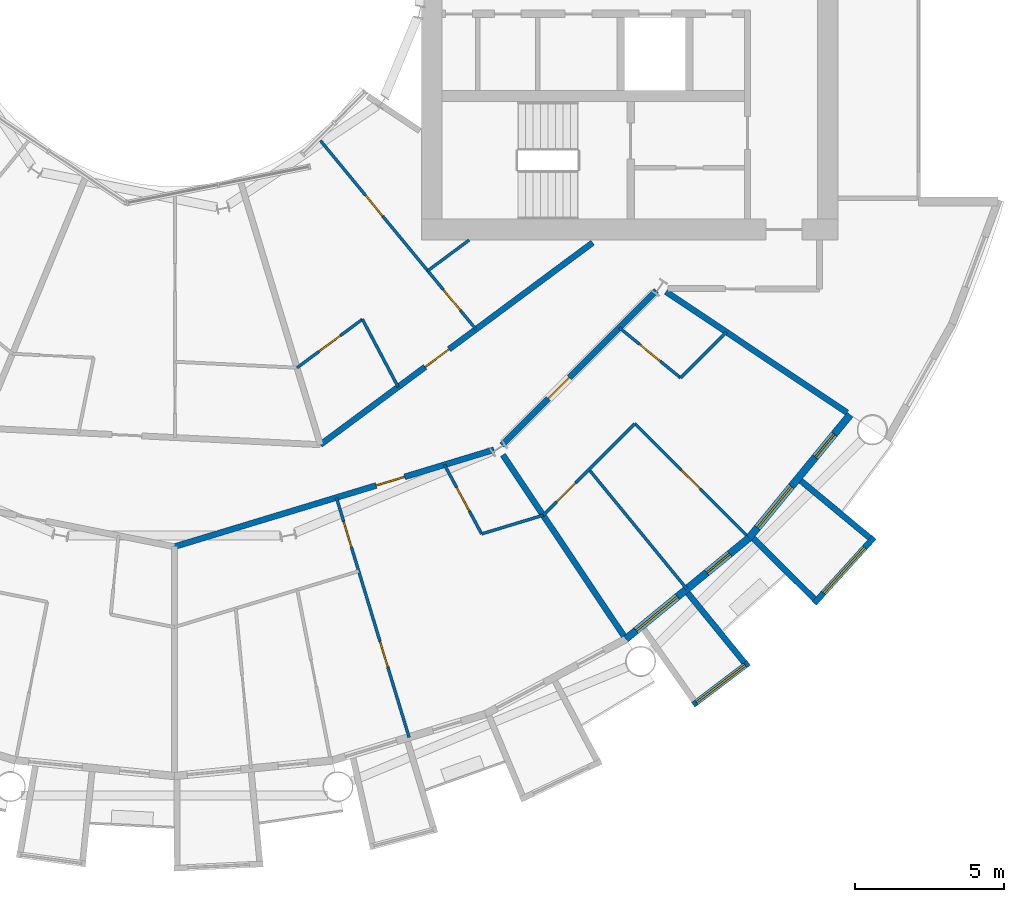
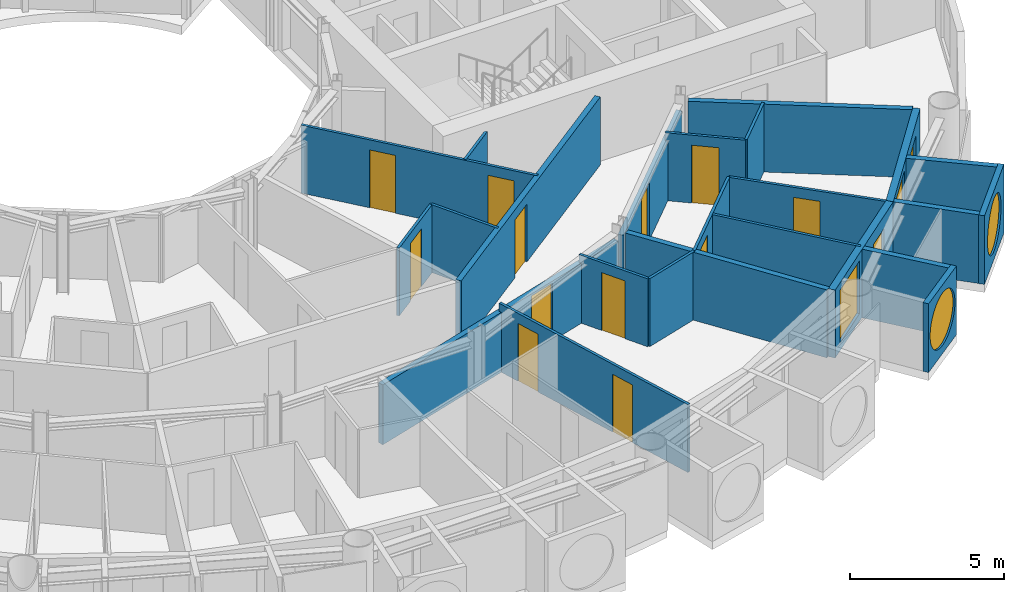
# One storey, part 16 of 26: 24 walls, 14 doors, 4 windows, 18 openings.
"""IFC4 building model written with IfcOpenShell, lengths in metres."""

from ifc_helpers import new_model, si_unit, direction, frame, frame_2d, origin, place, context, subcontext, project, spatial, rectangle, circle, extrude, material, layer, layer_set, type_object, element, fill, save


model = new_model("IFC4")

# Units and contexts
model_context = context("Model", 3, precision=1e-05, world=origin(), true_north=direction((0.0, 1.0)))
body_context = subcontext(model_context, "Body", "Model", "MODEL_VIEW")
ifc_project = project(units=[si_unit("LENGTHUNIT", "METRE"), si_unit("AREAUNIT", "SQUARE_METRE"), si_unit("VOLUMEUNIT", "CUBIC_METRE"), si_unit("PLANEANGLEUNIT", "RADIAN"), si_unit("MASSUNIT", "GRAM", prefix="KILO")], contexts=[model_context])

# Site, building, storey
site_placement = place(None, origin())
site = spatial("IfcSite", under=ifc_project, at=site_placement, CompositionType="ELEMENT")
building_placement = place(site_placement, origin())
building = spatial("IfcBuilding", under=site, at=building_placement, Name="Maasbend Ring Residences", CompositionType="ELEMENT")
storey_placement = place(building_placement, frame((0.0, 0.0, 72.75)))
storey = spatial("IfcBuildingStorey", under=building, at=storey_placement, Name="L20", CompositionType="ELEMENT", Elevation=72.75)

# Wall, opening, door
ifc_material_1 = material(Name="Concrete C30/37", Category="concrete")
ifc_layer_1 = layer(ifc_material_1, 0.199951171875)
ifc_layer_set_1 = layer_set([ifc_layer_1], Name="Concrete C30/37")
wall_type_1 = type_object("IfcWallType", Name="CORRIDOR WALL 200 CONCRETE", PredefinedType="PARTITIONING", material=ifc_layer_set_1)
wall_1_placement = place(storey_placement, frame((11.0, -16.18603515625, 0.0), z_axis=(0.0, 0.0, 1.0), x_axis=(0.707106781187, 0.707106781187, 0.0)))
wall_1 = element("IfcWall", 1, at=wall_1_placement, inside=storey, type_object=wall_type_1, Name="U-L20-w012", PredefinedType="PARTITIONING", context=body_context, shape_type="SweptSolid", body=[
    extrude(rectangle(XDim=7.334228515625, YDim=0.199951171875, at=frame_2d((3.6669921875, 0.0))), origin(), (0.0, 0.0, 1.0), 2.3798828125),
])
opening_1_placement = place(wall_1_placement, frame((2.2109375, 0.0, 0.0)))
opening_1 = element("IfcOpeningElement", 2, at=opening_1_placement, cuts=wall_1, Name="Opening D-2049", PredefinedType="OPENING", context=body_context, shape_type="SweptSolid", body=[
    extrude(rectangle(XDim=1.0, YDim=2.300048828125, at=frame_2d((0.5, 1.14990234375))), frame((0.0, 0.10986328125, 0.0), z_axis=(0.0, -1.0, 0.0), x_axis=(1.0, 0.0, 0.0)), (0.0, 0.0, 1.0), 0.219970703125),
])
ifc_material_2 = material(Name="Timber, fire-rated, painted", Category="wood")
door_type_1 = type_object("IfcDoorType", Name="FLAT ENTRANCE DOOR 1000 X 2300 FIRE-RATED", OperationType="NOTDEFINED", PredefinedType="DOOR", material=ifc_material_2)
door_1_placement = place(opening_1_placement, origin())
door_1 = element("IfcDoor", 3, at=door_1_placement, inside=storey, type_object=door_type_1, Name="D-2049", OperationType="SINGLE_SWING_LEFT", OverallHeight=2.300048828125, OverallWidth=1.0, PredefinedType="DOOR", context=body_context, shape_type="SweptSolid", body=[
    extrude(rectangle(XDim=1.0, YDim=2.300048828125, at=frame_2d((0.5, 1.14990234375))), frame((0.0, 0.02490234375, 0.0), z_axis=(0.0, -1.0, 0.0), x_axis=(1.0, 0.0, 0.0)), (0.0, 0.0, 1.0), 0.050048828125),
])
fill(opening_1, door_1)

wall_2_placement = place(storey_placement, frame((0.0, -19.60009765625, 0.0), z_axis=(0.0, 0.0, 1.0), x_axis=(0.956932298225, 0.290311172044, 0.0)))
wall_2 = element("IfcWall", 4, at=wall_2_placement, inside=storey, type_object=wall_type_1, Name="U-L20-w014", PredefinedType="PARTITIONING", context=body_context, shape_type="SweptSolid", body=[
    extrude(rectangle(XDim=11.21923828125, YDim=0.199951171875, at=frame_2d((5.609619140625, 0.0))), origin(), (0.0, 0.0, 1.0), 2.3798828125),
])
opening_2_placement = place(wall_2_placement, frame((7.0859375, 0.0, 0.0)))
opening_2 = element("IfcOpeningElement", 5, at=opening_2_placement, cuts=wall_2, Name="Opening D-2043", PredefinedType="OPENING", context=body_context, shape_type="SweptSolid", body=[
    extrude(rectangle(XDim=1.0, YDim=2.300048828125, at=frame_2d((0.5, 1.14990234375))), frame((0.0, 0.10986328125, 0.0), z_axis=(0.0, -1.0, 0.0), x_axis=(1.0, 0.0, 0.0)), (0.0, 0.0, 1.0), 0.219970703125),
])
door_2_placement = place(opening_2_placement, origin())
door_2 = element("IfcDoor", 6, at=door_2_placement, inside=storey, type_object=door_type_1, Name="D-2043", OperationType="SINGLE_SWING_RIGHT", OverallHeight=2.300048828125, OverallWidth=1.0, PredefinedType="DOOR", context=body_context, shape_type="SweptSolid", body=[
    extrude(rectangle(XDim=1.0, YDim=2.300048828125, at=frame_2d((0.5, 1.14990234375))), frame((0.0, 0.02490234375, 0.0), z_axis=(0.0, -1.0, 0.0), x_axis=(1.0, 0.0, 0.0)), (0.0, 0.0, 1.0), 0.050048828125),
])
fill(opening_2, door_2)

wall_3_placement = place(storey_placement, frame((4.906005859375, -16.172119140625, 0.0), z_axis=(0.0, 0.0, 1.0), x_axis=(0.803204584823, 0.59570327758, 0.0)))
wall_3 = element("IfcWall", 7, at=wall_3_placement, inside=storey, type_object=wall_type_1, Name="U-L20-w017", PredefinedType="PARTITIONING", context=body_context, shape_type="SweptSolid", body=[
    extrude(rectangle(XDim=11.386962890625, YDim=0.199951171875, at=frame_2d((5.693359375, 0.0))), origin(), (0.0, 0.0, 1.0), 2.699951171875),
])
opening_3_placement = place(wall_3_placement, frame((4.3798828125, 0.0, 0.0)))
opening_3 = element("IfcOpeningElement", 8, at=opening_3_placement, cuts=wall_3, Name="Opening D-2061", PredefinedType="OPENING", context=body_context, shape_type="SweptSolid", body=[
    extrude(rectangle(XDim=1.0, YDim=2.300048828125, at=frame_2d((0.5, 1.14990234375))), frame((0.0, 0.10986328125, 0.0), z_axis=(0.0, -1.0, 0.0), x_axis=(1.0, 0.0, 0.0)), (0.0, 0.0, 1.0), 0.219970703125),
])
door_3_placement = place(opening_3_placement, origin())
door_3 = element("IfcDoor", 9, at=door_3_placement, inside=storey, type_object=door_type_1, Name="D-2061", OperationType="SINGLE_SWING_LEFT", OverallHeight=2.300048828125, OverallWidth=1.0, PredefinedType="DOOR", context=body_context, shape_type="SweptSolid", body=[
    extrude(rectangle(XDim=1.0, YDim=2.300048828125, at=frame_2d((0.5, 1.14990234375))), frame((0.0, 0.02490234375, 0.0), z_axis=(0.0, -1.0, 0.0), x_axis=(1.0, 0.0, 0.0)), (0.0, 0.0, 1.0), 0.050048828125),
])
fill(opening_3, door_3)

# Wall, opening, window
ifc_material_3 = material(Name="Pale anodised aluminium panel", Category="aluminium")
ifc_layer_2 = layer(ifc_material_3, 0.199951171875)
ifc_layer_set_2 = layer_set([ifc_layer_2], Name="EW-BOX")
wall_type_2 = type_object("IfcWallType", Name="EW-BOX", PredefinedType="SOLIDWALL", material=ifc_layer_set_2)
wall_4_placement = place(storey_placement, frame((17.427001953125, -24.908935546875, -0.030029296875), z_axis=(0.0, 0.0, 1.0), x_axis=(0.796842165306, 0.60418752353, 0.0)))
wall_4 = element("IfcWall", 10, at=wall_4_placement, inside=storey, type_object=wall_type_2, Name="Box front S17", PredefinedType="SOLIDWALL", context=body_context, shape_type="SweptSolid", body=[
    extrude(rectangle(XDim=2.3369140625, YDim=0.199951171875, at=frame_2d((1.16845703125, 0.0))), origin(), (0.0, 0.0, 1.0), 2.72998046875),
])
opening_4_placement = place(wall_4_placement, frame((0.128173828125, 0.0, 0.330078125)))
opening_4 = element("IfcOpeningElement", 11, at=opening_4_placement, cuts=wall_4, Name="Opening W-RD", PredefinedType="OPENING", context=body_context, shape_type="SweptSolid", body=[
    extrude(circle(Radius=1.0400390625, at=frame_2d((1.0400390625, 1.0400390625))), frame((0.0, 0.10986328125, 0.0), z_axis=(0.0, -1.0, 0.0), x_axis=(1.0, 0.0, 0.0)), (0.0, 0.0, 1.0), 0.219970703125),
])
ifc_material_4 = material(Name="Aluminium and clear glass", Category="aluminium")
window_type_1 = type_object("IfcWindowType", Name="W-RD", PartitioningType="SINGLE_PANEL", PredefinedType="WINDOW", material=ifc_material_4)
window_1_placement = place(opening_4_placement, origin())
window_1 = element("IfcWindow", 12, at=window_1_placement, inside=storey, type_object=window_type_1, Name="Round window S17", OverallHeight=2.080078125, OverallWidth=2.080078125, PartitioningType="SINGLE_PANEL", PredefinedType="WINDOW", context=body_context, shape_type="SweptSolid", body=[
    extrude(circle(Radius=1.0400390625, at=frame_2d((1.0400390625, 1.0400390625))), frame((0.0, 0.030029296875, 0.0), z_axis=(0.0, -1.0, 0.0), x_axis=(1.0, 0.0, 0.0)), (0.0, 0.0, 1.0), 0.06005859375),
])
fill(opening_4, window_1)

# Wall
wall_5_placement = place(storey_placement, frame((17.24609375, -21.155029296875, -0.030029296875), z_axis=(0.0, 0.0, 1.0), x_axis=(0.631741648902, -0.775179004516, 0.0)))
element("IfcWall", 13, at=wall_5_placement, inside=storey, type_object=wall_type_2, Name="Box side wall S17 right", PredefinedType="SOLIDWALL", context=body_context, shape_type="SweptSolid", body=[
    extrude(rectangle(XDim=3.005859375, YDim=0.199951171875, at=frame_2d((1.5029296875, 0.0))), origin(), (0.0, 0.0, 1.0), 2.72998046875),
])

# Wall, opening, window
wall_6_placement = place(storey_placement, frame((21.492919921875, -21.5, -0.030029296875), z_axis=(0.0, 0.0, 1.0), x_axis=(0.671506829416, 0.740998365753, 0.0)))
wall_6 = element("IfcWall", 14, at=wall_6_placement, inside=storey, type_object=wall_type_2, Name="Box front S19", PredefinedType="SOLIDWALL", context=body_context, shape_type="SweptSolid", body=[
    extrude(rectangle(XDim=2.9931640625, YDim=0.199951171875, at=frame_2d((1.49658203125, 0.0))), origin(), (0.0, 0.0, 1.0), 2.72998046875),
])
opening_5_placement = place(wall_6_placement, frame((0.45654296875, 0.0, 0.330078125)))
opening_5 = element("IfcOpeningElement", 15, at=opening_5_placement, cuts=wall_6, Name="Opening W-RD", PredefinedType="OPENING", context=body_context, shape_type="SweptSolid", body=[
    extrude(circle(Radius=1.0400390625, at=frame_2d((1.0400390625, 1.0400390625))), frame((0.0, 0.10986328125, 0.0), z_axis=(0.0, -1.0, 0.0), x_axis=(1.0, 0.0, 0.0)), (0.0, 0.0, 1.0), 0.219970703125),
])
window_2_placement = place(opening_5_placement, origin())
window_2 = element("IfcWindow", 16, at=window_2_placement, inside=storey, type_object=window_type_1, Name="Round window S19", OverallHeight=2.080078125, OverallWidth=2.080078125, PartitioningType="SINGLE_PANEL", PredefinedType="WINDOW", context=body_context, shape_type="SweptSolid", body=[
    extrude(circle(Radius=1.0400390625, at=frame_2d((1.0400390625, 1.0400390625))), frame((0.0, 0.030029296875, 0.0), z_axis=(0.0, -1.0, 0.0), x_axis=(1.0, 0.0, 0.0)), (0.0, 0.0, 1.0), 0.06005859375),
])
fill(opening_5, window_2)

# Walls
wall_7_placement = place(storey_placement, frame((19.449951171875, -19.322998046875, -0.030029296875), z_axis=(0.0, 0.0, 1.0), x_axis=(0.709727076896, -0.704476739375, 0.0)))
element("IfcWall", 17, at=wall_7_placement, inside=storey, type_object=wall_type_2, Name="Box side wall S19 left", PredefinedType="SOLIDWALL", context=body_context, shape_type="SweptSolid", body=[
    extrude(rectangle(XDim=2.883056640625, YDim=0.199951171875, at=frame_2d((1.44140625, 0.0))), origin(), (0.0, 0.0, 1.0), 2.72998046875),
])
wall_8_placement = place(storey_placement, frame((21.041015625, -17.384033203125, -0.030029296875), z_axis=(0.0, 0.0, 1.0), x_axis=(0.770784861449, -0.63709551667, 0.0)))
element("IfcWall", 18, at=wall_8_placement, inside=storey, type_object=wall_type_2, Name="Box side wall S19 right", PredefinedType="SOLIDWALL", context=body_context, shape_type="SweptSolid", body=[
    extrude(rectangle(XDim=3.005859375, YDim=0.199951171875, at=frame_2d((1.5029296875, 0.0))), origin(), (0.0, 0.0, 1.0), 2.72998046875),
])

# Wall, openings, door, window
ifc_material_5 = material(Name="Aluminium clad insulated panel", Category="aluminium")
ifc_layer_3 = layer(ifc_material_5, 0.25)
ifc_layer_set_3 = layer_set([ifc_layer_3], Name="EW-GL")
wall_type_3 = type_object("IfcWallType", Name="EW-GL", PredefinedType="SOLIDWALL", material=ifc_layer_set_3)
wall_9_placement = place(storey_placement, frame((15.1669921875, -22.698974609375, 0.0), z_axis=(0.0, 0.0, 1.0), x_axis=(0.773019449054, 0.634382322723, 0.0)))
wall_9 = element("IfcWall", 19, at=wall_9_placement, inside=storey, type_object=wall_type_3, Name="External wall S09", PredefinedType="SOLIDWALL", context=body_context, shape_type="SweptSolid", body=[
    extrude(rectangle(XDim=5.351806640625, YDim=0.25, at=frame_2d((2.67578125, 0.0))), origin(), (0.0, 0.0, 1.0), 2.699951171875),
])
opening_6_placement = place(wall_9_placement, frame((0.441162109375, 0.0, 0.300048828125)))
opening_6 = element("IfcOpeningElement", 20, at=opening_6_placement, cuts=wall_9, Name="Opening W-BX", PredefinedType="OPENING", context=body_context, shape_type="SweptSolid", body=[
    extrude(rectangle(XDim=1.800048828125, YDim=2.10009765625, at=frame_2d((0.89990234375, 1.050048828125))), frame((0.0, 0.135009765625, 0.0), z_axis=(0.0, -1.0, 0.0), x_axis=(1.0, 0.0, 0.0)), (0.0, 0.0, 1.0), 0.27001953125),
])
opening_7_placement = place(wall_9_placement, frame((3.510498046875, 0.0, 0.0)))
opening_7 = element("IfcOpeningElement", 21, at=opening_7_placement, cuts=wall_9, Name="Opening D-LG", PredefinedType="OPENING", context=body_context, shape_type="SweptSolid", body=[
    extrude(rectangle(XDim=1.0, YDim=2.199951171875, at=frame_2d((0.5, 1.10009765625))), frame((0.0, 0.135009765625, 0.0), z_axis=(0.0, -1.0, 0.0), x_axis=(1.0, 0.0, 0.0)), (0.0, 0.0, 1.0), 0.27001953125),
])
ifc_material_6 = material(Name="Aluminium and clear glass", Category="aluminium")
door_type_2 = type_object("IfcDoorType", Name="D-LG", OperationType="SINGLE_SWING_LEFT", PredefinedType="DOOR", material=ifc_material_6)
door_4_placement = place(opening_7_placement, origin())
door_4 = element("IfcDoor", 22, at=door_4_placement, inside=storey, type_object=door_type_2, Name="Loggia door S18", OperationType="SINGLE_SWING_LEFT", OverallHeight=2.199951171875, OverallWidth=1.0, PredefinedType="DOOR", context=body_context, shape_type="SweptSolid", body=[
    extrude(rectangle(XDim=1.0, YDim=2.199951171875, at=frame_2d((0.5, 1.10009765625))), frame((0.0, 0.02490234375, 0.0), z_axis=(0.0, -1.0, 0.0), x_axis=(1.0, 0.0, 0.0)), (0.0, 0.0, 1.0), 0.050048828125),
])
fill(opening_7, door_4)
ifc_material_7 = material(Name="Aluminium and clear glass", Category="aluminium")
window_type_2 = type_object("IfcWindowType", Name="W-BX", PartitioningType="DOUBLE_PANEL_VERTICAL", PredefinedType="WINDOW", material=ifc_material_7)
window_3_placement = place(opening_6_placement, origin())
window_3 = element("IfcWindow", 23, at=window_3_placement, inside=storey, type_object=window_type_2, Name="Window S17 room to box", OverallHeight=2.10009765625, OverallWidth=1.800048828125, PartitioningType="SINGLE_PANEL", PredefinedType="WINDOW", context=body_context, shape_type="SweptSolid", body=[
    extrude(rectangle(XDim=1.800048828125, YDim=2.10009765625, at=frame_2d((0.89990234375, 1.050048828125))), frame((0.0, 0.030029296875, 0.0), z_axis=(0.0, -1.0, 0.0), x_axis=(1.0, 0.0, 0.0)), (0.0, 0.0, 1.0), 0.06005859375),
])
fill(opening_6, window_3)

wall_10_placement = place(storey_placement, frame((19.303955078125, -19.303955078125, 0.0), z_axis=(0.0, 0.0, 1.0), x_axis=(0.634382322723, 0.773019449054, 0.0)))
wall_10 = element("IfcWall", 24, at=wall_10_placement, inside=storey, type_object=wall_type_3, Name="External wall S10", PredefinedType="SOLIDWALL", context=body_context, shape_type="SweptSolid", body=[
    extrude(rectangle(XDim=5.351806640625, YDim=0.25, at=frame_2d((2.67578125, 0.0))), origin(), (0.0, 0.0, 1.0), 2.699951171875),
])
opening_8_placement = place(wall_10_placement, frame((0.441162109375, 0.0, 0.300048828125)))
opening_8 = element("IfcOpeningElement", 25, at=opening_8_placement, cuts=wall_10, Name="Opening W-BX", PredefinedType="OPENING", context=body_context, shape_type="SweptSolid", body=[
    extrude(rectangle(XDim=1.800048828125, YDim=2.10009765625, at=frame_2d((0.89990234375, 1.050048828125))), frame((0.0, 0.135009765625, 0.0), z_axis=(0.0, -1.0, 0.0), x_axis=(1.0, 0.0, 0.0)), (0.0, 0.0, 1.0), 0.27001953125),
])
opening_9_placement = place(wall_10_placement, frame((3.510498046875, 0.0, 0.0)))
opening_9 = element("IfcOpeningElement", 26, at=opening_9_placement, cuts=wall_10, Name="Opening D-LG", PredefinedType="OPENING", context=body_context, shape_type="SweptSolid", body=[
    extrude(rectangle(XDim=1.0, YDim=2.199951171875, at=frame_2d((0.5, 1.10009765625))), frame((0.0, 0.135009765625, 0.0), z_axis=(0.0, -1.0, 0.0), x_axis=(1.0, 0.0, 0.0)), (0.0, 0.0, 1.0), 0.27001953125),
])
door_5_placement = place(opening_9_placement, origin())
door_5 = element("IfcDoor", 27, at=door_5_placement, inside=storey, type_object=door_type_2, Name="Loggia door S20", OperationType="SINGLE_SWING_LEFT", OverallHeight=2.199951171875, OverallWidth=1.0, PredefinedType="DOOR", context=body_context, shape_type="SweptSolid", body=[
    extrude(rectangle(XDim=1.0, YDim=2.199951171875, at=frame_2d((0.5, 1.10009765625))), frame((0.0, 0.02490234375, 0.0), z_axis=(0.0, -1.0, 0.0), x_axis=(1.0, 0.0, 0.0)), (0.0, 0.0, 1.0), 0.050048828125),
])
fill(opening_9, door_5)
window_4_placement = place(opening_8_placement, origin())
window_4 = element("IfcWindow", 28, at=window_4_placement, inside=storey, type_object=window_type_2, Name="Window S19 room to box", OverallHeight=2.10009765625, OverallWidth=1.800048828125, PartitioningType="SINGLE_PANEL", PredefinedType="WINDOW", context=body_context, shape_type="SweptSolid", body=[
    extrude(rectangle(XDim=1.800048828125, YDim=2.10009765625, at=frame_2d((0.89990234375, 1.050048828125))), frame((0.0, 0.030029296875, 0.0), z_axis=(0.0, -1.0, 0.0), x_axis=(1.0, 0.0, 0.0)), (0.0, 0.0, 1.0), 0.06005859375),
])
fill(opening_8, window_4)

# Wall, opening, door
ifc_material_8 = material(Name="Gypsum board on steel studs", Category="steel")
ifc_layer_4 = layer(ifc_material_8, 0.10009765625)
ifc_layer_set_4 = layer_set([ifc_layer_4], Name="PARTITION 100 GYPSUM")
wall_type_4 = type_object("IfcWallType", Name="PARTITION 100 GYPSUM", PredefinedType="PARTITIONING", material=ifc_layer_set_4)
wall_11_placement = place(storey_placement, frame((12.385986328125, -18.544921875, 0.0), z_axis=(0.0, 0.0, 1.0), x_axis=(0.707106781187, 0.707106781187, 0.0)))
wall_11 = element("IfcWall", 29, at=wall_11_placement, inside=storey, type_object=wall_type_4, Name="U-L20-w003", PredefinedType="PARTITIONING", context=body_context, shape_type="SweptSolid", body=[
    extrude(rectangle(XDim=4.351318359375, YDim=0.10009765625, at=frame_2d((2.17578125, 0.0))), origin(), (0.0, 0.0, 1.0), 2.699951171875),
])
opening_10_placement = place(wall_11_placement, frame((0.64404296875, 0.0, 0.0)))
opening_10 = element("IfcOpeningElement", 30, at=opening_10_placement, cuts=wall_11, Name="Opening D-2052", PredefinedType="OPENING", context=body_context, shape_type="SweptSolid", body=[
    extrude(rectangle(XDim=0.89990234375, YDim=2.300048828125, at=frame_2d((0.449951171875, 1.14990234375))), frame((0.0, 0.06005859375, 0.0), z_axis=(0.0, -1.0, 0.0), x_axis=(1.0, 0.0, 0.0)), (0.0, 0.0, 1.0), 0.1201171875),
])
ifc_material_9 = material(Name="Timber, painted", Category="wood")
door_type_3 = type_object("IfcDoorType", Name="INTERNAL DOOR 900 X 2300", OperationType="NOTDEFINED", PredefinedType="DOOR", material=ifc_material_9)
door_6_placement = place(opening_10_placement, origin())
door_6 = element("IfcDoor", 31, at=door_6_placement, inside=storey, type_object=door_type_3, Name="D-2052", OperationType="SINGLE_SWING_LEFT", OverallHeight=2.300048828125, OverallWidth=0.89990234375, PredefinedType="DOOR", context=body_context, shape_type="SweptSolid", body=[
    extrude(rectangle(XDim=0.89990234375, YDim=2.300048828125, at=frame_2d((0.449951171875, 1.14990234375))), frame((0.0, 0.02490234375, 0.0), z_axis=(0.0, -1.0, 0.0), x_axis=(1.0, 0.0, 0.0)), (0.0, 0.0, 1.0), 0.050048828125),
])
fill(opening_10, door_6)

# Walls
wall_12_placement = place(storey_placement, frame((17.00390625, -13.927001953125, 0.0), z_axis=(0.0, 0.0, 1.0), x_axis=(0.707106781187, 0.707106781187, 0.0)))
element("IfcWall", 32, at=wall_12_placement, inside=storey, type_object=wall_type_4, Name="U-L20-w004", PredefinedType="PARTITIONING", context=body_context, shape_type="SweptSolid", body=[
    extrude(rectangle(XDim=2.17529296875, YDim=0.10009765625, at=frame_2d((1.087646484375, 0.0))), origin(), (0.0, 0.0, 1.0), 2.699951171875),
])
wall_13_placement = place(storey_placement, frame((10.326904296875, -19.16796875, 0.0), z_axis=(0.0, 0.0, 1.0), x_axis=(0.956877769253, 0.290490851335, 0.0)))
element("IfcWall", 33, at=wall_13_placement, inside=storey, type_object=wall_type_4, Name="U-L20-w010", PredefinedType="PARTITIONING", context=body_context, shape_type="SweptSolid", body=[
    extrude(rectangle(XDim=2.158203125, YDim=0.10009765625, at=frame_2d((1.0791015625, 0.0))), origin(), (0.0, 0.0, 1.0), 2.699951171875),
])

# Wall, opening, door
wall_14_placement = place(storey_placement, frame((4.123046875, -13.589111328125, 0.0), z_axis=(0.0, 0.0, 1.0), x_axis=(0.803128348509, 0.595806055542, 0.0)))
wall_14 = element("IfcWall", 34, at=wall_14_placement, inside=storey, type_object=wall_type_4, Name="U-L20-w022", PredefinedType="PARTITIONING", context=body_context, shape_type="SweptSolid", body=[
    extrude(rectangle(XDim=2.734375, YDim=0.10009765625, at=frame_2d((1.3671875, 0.0))), origin(), (0.0, 0.0, 1.0), 2.699951171875),
])
opening_11_placement = place(wall_14_placement, frame((0.916015625, 0.0, 0.0)))
opening_11 = element("IfcOpeningElement", 35, at=opening_11_placement, cuts=wall_14, Name="Opening D-2062", PredefinedType="OPENING", context=body_context, shape_type="SweptSolid", body=[
    extrude(rectangle(XDim=0.89990234375, YDim=2.300048828125, at=frame_2d((0.449951171875, 1.14990234375))), frame((0.0, 0.06005859375, 0.0), z_axis=(0.0, -1.0, 0.0), x_axis=(1.0, 0.0, 0.0)), (0.0, 0.0, 1.0), 0.1201171875),
])
door_7_placement = place(opening_11_placement, origin())
door_7 = element("IfcDoor", 36, at=door_7_placement, inside=storey, type_object=door_type_3, Name="D-2062", OperationType="SINGLE_SWING_LEFT", OverallHeight=2.300048828125, OverallWidth=0.89990234375, PredefinedType="DOOR", context=body_context, shape_type="SweptSolid", body=[
    extrude(rectangle(XDim=0.89990234375, YDim=2.300048828125, at=frame_2d((0.449951171875, 1.14990234375))), frame((0.0, 0.02490234375, 0.0), z_axis=(0.0, -1.0, 0.0), x_axis=(1.0, 0.0, 0.0)), (0.0, 0.0, 1.0), 0.050048828125),
])
fill(opening_11, door_7)

# Wall
wall_15_placement = place(storey_placement, frame((8.512939453125, -10.33203125, 0.0), z_axis=(0.0, 0.0, 1.0), x_axis=(0.803135014325, 0.595797070121, 0.0)))
element("IfcWall", 37, at=wall_15_placement, inside=storey, type_object=wall_type_4, Name="U-L20-w023", PredefinedType="PARTITIONING", context=body_context, shape_type="SweptSolid", body=[
    extrude(rectangle(XDim=1.732177734375, YDim=0.10009765625, at=frame_2d((0.8662109375, 0.0))), origin(), (0.0, 0.0, 1.0), 2.699951171875),
])

# Wall, openings, doors
wall_16_placement = place(storey_placement, frame((4.907958984375, -5.958984375, 0.0), z_axis=(0.0, 0.0, 1.0), x_axis=(0.636105207978, -0.771602335652, 0.0)))
wall_16 = element("IfcWall", 38, at=wall_16_placement, inside=storey, type_object=wall_type_4, Name="U-L20-w069", PredefinedType="PARTITIONING", context=body_context, shape_type="SweptSolid", body=[
    extrude(rectangle(XDim=8.212646484375, YDim=0.10009765625, at=frame_2d((4.1064453125, 0.0))), origin(), (0.0, 0.0, 1.0), 2.699951171875),
])
opening_12_placement = place(wall_16_placement, frame((6.489990234375, 0.0, 0.0)))
opening_12 = element("IfcOpeningElement", 39, at=opening_12_placement, cuts=wall_16, Name="Opening D-2063", PredefinedType="OPENING", context=body_context, shape_type="SweptSolid", body=[
    extrude(rectangle(XDim=0.89990234375, YDim=2.300048828125, at=frame_2d((0.449951171875, 1.14990234375))), frame((0.0, 0.06005859375, 0.0), z_axis=(0.0, -1.0, 0.0), x_axis=(1.0, 0.0, 0.0)), (0.0, 0.0, 1.0), 0.1201171875),
])
opening_13_placement = place(wall_16_placement, frame((2.384033203125, 0.0, 0.0)))
opening_13 = element("IfcOpeningElement", 40, at=opening_13_placement, cuts=wall_16, Name="Opening D-2064", PredefinedType="OPENING", context=body_context, shape_type="SweptSolid", body=[
    extrude(rectangle(XDim=0.89990234375, YDim=2.300048828125, at=frame_2d((0.449951171875, 1.14990234375))), frame((0.0, 0.06005859375, 0.0), z_axis=(0.0, -1.0, 0.0), x_axis=(1.0, 0.0, 0.0)), (0.0, 0.0, 1.0), 0.1201171875),
])
door_8_placement = place(opening_12_placement, origin())
door_8 = element("IfcDoor", 41, at=door_8_placement, inside=storey, type_object=door_type_3, Name="D-2063", OperationType="SINGLE_SWING_RIGHT", OverallHeight=2.300048828125, OverallWidth=0.89990234375, PredefinedType="DOOR", context=body_context, shape_type="SweptSolid", body=[
    extrude(rectangle(XDim=0.89990234375, YDim=2.300048828125, at=frame_2d((0.449951171875, 1.14990234375))), frame((0.0, 0.02490234375, 0.0), z_axis=(0.0, -1.0, 0.0), x_axis=(1.0, 0.0, 0.0)), (0.0, 0.0, 1.0), 0.050048828125),
])
fill(opening_12, door_8)
door_9_placement = place(opening_13_placement, origin())
door_9 = element("IfcDoor", 42, at=door_9_placement, inside=storey, type_object=door_type_3, Name="D-2064", OperationType="SINGLE_SWING_LEFT", OverallHeight=2.300048828125, OverallWidth=0.89990234375, PredefinedType="DOOR", context=body_context, shape_type="SweptSolid", body=[
    extrude(rectangle(XDim=0.89990234375, YDim=2.300048828125, at=frame_2d((0.449951171875, 1.14990234375))), frame((0.0, 0.02490234375, 0.0), z_axis=(0.0, -1.0, 0.0), x_axis=(1.0, 0.0, 0.0)), (0.0, 0.0, 1.0), 0.050048828125),
])
fill(opening_13, door_9)

wall_17_placement = place(storey_placement, frame((5.445068359375, -17.947998046875, 0.0), z_axis=(0.0, 0.0, 1.0), x_axis=(0.290158700753, -0.956978541231, 0.0)))
wall_17 = element("IfcWall", 43, at=wall_17_placement, inside=storey, type_object=wall_type_4, Name="U-L20-w071", PredefinedType="PARTITIONING", context=body_context, shape_type="SweptSolid", body=[
    extrude(rectangle(XDim=8.419189453125, YDim=0.10009765625, at=frame_2d((4.20947265625, 0.0))), origin(), (0.0, 0.0, 1.0), 2.699951171875),
])
opening_14_placement = place(wall_17_placement, frame((0.842041015625, 0.0, 0.0)))
opening_14 = element("IfcOpeningElement", 44, at=opening_14_placement, cuts=wall_17, Name="Opening D-2045", PredefinedType="OPENING", context=body_context, shape_type="SweptSolid", body=[
    extrude(rectangle(XDim=0.89990234375, YDim=2.300048828125, at=frame_2d((0.449951171875, 1.14990234375))), frame((0.0, 0.06005859375, 0.0), z_axis=(0.0, -1.0, 0.0), x_axis=(1.0, 0.0, 0.0)), (0.0, 0.0, 1.0), 0.1201171875),
])
opening_15_placement = place(wall_17_placement, frame((5.052001953125, 0.0, 0.0)))
opening_15 = element("IfcOpeningElement", 45, at=opening_15_placement, cuts=wall_17, Name="Opening D-2046", PredefinedType="OPENING", context=body_context, shape_type="SweptSolid", body=[
    extrude(rectangle(XDim=0.89990234375, YDim=2.300048828125, at=frame_2d((0.449951171875, 1.14990234375))), frame((0.0, 0.06005859375, 0.0), z_axis=(0.0, -1.0, 0.0), x_axis=(1.0, 0.0, 0.0)), (0.0, 0.0, 1.0), 0.1201171875),
])
door_10_placement = place(opening_14_placement, origin())
door_10 = element("IfcDoor", 46, at=door_10_placement, inside=storey, type_object=door_type_3, Name="D-2045", OperationType="SINGLE_SWING_LEFT", OverallHeight=2.300048828125, OverallWidth=0.89990234375, PredefinedType="DOOR", context=body_context, shape_type="SweptSolid", body=[
    extrude(rectangle(XDim=0.89990234375, YDim=2.300048828125, at=frame_2d((0.449951171875, 1.14990234375))), frame((0.0, 0.02490234375, 0.0), z_axis=(0.0, -1.0, 0.0), x_axis=(1.0, 0.0, 0.0)), (0.0, 0.0, 1.0), 0.050048828125),
])
fill(opening_14, door_10)
door_11_placement = place(opening_15_placement, origin())
door_11 = element("IfcDoor", 47, at=door_11_placement, inside=storey, type_object=door_type_3, Name="D-2046", OperationType="SINGLE_SWING_RIGHT", OverallHeight=2.300048828125, OverallWidth=0.89990234375, PredefinedType="DOOR", context=body_context, shape_type="SweptSolid", body=[
    extrude(rectangle(XDim=0.89990234375, YDim=2.300048828125, at=frame_2d((0.449951171875, 1.14990234375))), frame((0.0, 0.02490234375, 0.0), z_axis=(0.0, -1.0, 0.0), x_axis=(1.0, 0.0, 0.0)), (0.0, 0.0, 1.0), 0.050048828125),
])
fill(opening_15, door_11)

# Wall
wall_18_placement = place(storey_placement, frame((6.318115234375, -11.9599609375, 0.0), z_axis=(0.0, 0.0, 1.0), x_axis=(0.467001992543, -0.884256263173, 0.0)))
element("IfcWall", 48, at=wall_18_placement, inside=storey, type_object=wall_type_4, Name="U-L20-w073", PredefinedType="PARTITIONING", context=body_context, shape_type="SweptSolid", body=[
    extrude(rectangle(XDim=2.571533203125, YDim=0.10009765625, at=frame_2d((1.28564453125, 0.0))), origin(), (0.0, 0.0, 1.0), 2.699951171875),
])

# Wall, opening, door
wall_19_placement = place(storey_placement, frame((9.073974609375, -16.846923828125, 0.0), z_axis=(0.0, 0.0, 1.0), x_axis=(0.474160570331, -0.880438387136, 0.0)))
wall_19 = element("IfcWall", 49, at=wall_19_placement, inside=storey, type_object=wall_type_4, Name="U-L20-w075", PredefinedType="PARTITIONING", context=body_context, shape_type="SweptSolid", body=[
    extrude(rectangle(XDim=2.63623046875, YDim=0.10009765625, at=frame_2d((1.318115234375, 0.0))), origin(), (0.0, 0.0, 1.0), 2.699951171875),
])
opening_16_placement = place(wall_19_placement, frame((0.867919921875, 0.0, 0.0)))
opening_16 = element("IfcOpeningElement", 50, at=opening_16_placement, cuts=wall_19, Name="Opening D-2044", PredefinedType="OPENING", context=body_context, shape_type="SweptSolid", body=[
    extrude(rectangle(XDim=0.89990234375, YDim=2.300048828125, at=frame_2d((0.449951171875, 1.14990234375))), frame((0.0, 0.06005859375, 0.0), z_axis=(0.0, -1.0, 0.0), x_axis=(1.0, 0.0, 0.0)), (0.0, 0.0, 1.0), 0.1201171875),
])
door_12_placement = place(opening_16_placement, origin())
door_12 = element("IfcDoor", 51, at=door_12_placement, inside=storey, type_object=door_type_3, Name="D-2044", OperationType="SINGLE_SWING_RIGHT", OverallHeight=2.300048828125, OverallWidth=0.89990234375, PredefinedType="DOOR", context=body_context, shape_type="SweptSolid", body=[
    extrude(rectangle(XDim=0.89990234375, YDim=2.300048828125, at=frame_2d((0.449951171875, 1.14990234375))), frame((0.0, 0.02490234375, 0.0), z_axis=(0.0, -1.0, 0.0), x_axis=(1.0, 0.0, 0.0)), (0.0, 0.0, 1.0), 0.050048828125),
])
fill(opening_16, door_12)

# Wall
wall_20_placement = place(storey_placement, frame((13.927001953125, -17.00390625, 0.0), z_axis=(0.0, 0.0, 1.0), x_axis=(0.633774976367, -0.773517471898, 0.0)))
element("IfcWall", 52, at=wall_20_placement, inside=storey, type_object=wall_type_4, Name="U-L20-w079", PredefinedType="PARTITIONING", context=body_context, shape_type="SweptSolid", body=[
    extrude(rectangle(XDim=5.19580078125, YDim=0.10009765625, at=frame_2d((2.597900390625, 0.0))), origin(), (0.0, 0.0, 1.0), 2.699951171875),
])

# Wall, opening, door
wall_21_placement = place(storey_placement, frame((14.945068359375, -12.240966796875, 0.0), z_axis=(0.0, 0.0, 1.0), x_axis=(0.77367517848, -0.633582447834, 0.0)))
wall_21 = element("IfcWall", 53, at=wall_21_placement, inside=storey, type_object=wall_type_4, Name="U-L20-w080", PredefinedType="PARTITIONING", context=body_context, shape_type="SweptSolid", body=[
    extrude(rectangle(XDim=2.6611328125, YDim=0.10009765625, at=frame_2d((1.33056640625, 0.0))), origin(), (0.0, 0.0, 1.0), 2.699951171875),
])
opening_17_placement = place(wall_21_placement, frame((0.881103515625, 0.0, 0.0)))
opening_17 = element("IfcOpeningElement", 54, at=opening_17_placement, cuts=wall_21, Name="Opening D-2050", PredefinedType="OPENING", context=body_context, shape_type="SweptSolid", body=[
    extrude(rectangle(XDim=0.89990234375, YDim=2.300048828125, at=frame_2d((0.449951171875, 1.14990234375))), frame((0.0, 0.06005859375, 0.0), z_axis=(0.0, -1.0, 0.0), x_axis=(1.0, 0.0, 0.0)), (0.0, 0.0, 1.0), 0.1201171875),
])
door_13_placement = place(opening_17_placement, origin())
door_13 = element("IfcDoor", 55, at=door_13_placement, inside=storey, type_object=door_type_3, Name="D-2050", OperationType="SINGLE_SWING_LEFT", OverallHeight=2.300048828125, OverallWidth=0.89990234375, PredefinedType="DOOR", context=body_context, shape_type="SweptSolid", body=[
    extrude(rectangle(XDim=0.89990234375, YDim=2.300048828125, at=frame_2d((0.449951171875, 1.14990234375))), frame((0.0, 0.02490234375, 0.0), z_axis=(0.0, -1.0, 0.0), x_axis=(1.0, 0.0, 0.0)), (0.0, 0.0, 1.0), 0.050048828125),
])
fill(opening_17, door_13)

wall_22_placement = place(storey_placement, frame((15.465087890625, -15.465087890625, 0.0), z_axis=(0.0, 0.0, 1.0), x_axis=(0.707106781187, -0.707106781187, 0.0)))
wall_22 = element("IfcWall", 56, at=wall_22_placement, inside=storey, type_object=wall_type_4, Name="U-L20-w082", PredefinedType="PARTITIONING", context=body_context, shape_type="SweptSolid", body=[
    extrude(rectangle(XDim=5.3046875, YDim=0.10009765625, at=frame_2d((2.65234375, 0.0))), origin(), (0.0, 0.0, 1.0), 2.699951171875),
])
opening_18_placement = place(wall_22_placement, frame((2.201904296875, 0.0, 0.0)))
opening_18 = element("IfcOpeningElement", 57, at=opening_18_placement, cuts=wall_22, Name="Opening D-2051", PredefinedType="OPENING", context=body_context, shape_type="SweptSolid", body=[
    extrude(rectangle(XDim=0.89990234375, YDim=2.300048828125, at=frame_2d((0.449951171875, 1.14990234375))), frame((0.0, 0.06005859375, 0.0), z_axis=(0.0, -1.0, 0.0), x_axis=(1.0, 0.0, 0.0)), (0.0, 0.0, 1.0), 0.1201171875),
])
door_14_placement = place(opening_18_placement, origin())
door_14 = element("IfcDoor", 58, at=door_14_placement, inside=storey, type_object=door_type_3, Name="D-2051", OperationType="SINGLE_SWING_RIGHT", OverallHeight=2.300048828125, OverallWidth=0.89990234375, PredefinedType="DOOR", context=body_context, shape_type="SweptSolid", body=[
    extrude(rectangle(XDim=0.89990234375, YDim=2.300048828125, at=frame_2d((0.449951171875, 1.14990234375))), frame((0.0, 0.02490234375, 0.0), z_axis=(0.0, -1.0, 0.0), x_axis=(1.0, 0.0, 0.0)), (0.0, 0.0, 1.0), 0.050048828125),
])
fill(opening_18, door_14)

# Walls
ifc_material_10 = material(Name="Concrete C30/37", Category="concrete")
ifc_layer_5 = layer(ifc_material_10, 0.199951171875)
ifc_layer_set_5 = layer_set([ifc_layer_5], Name="Concrete C30/37")
wall_type_5 = type_object("IfcWallType", Name="PARTY WALL 200 CONCRETE", PredefinedType="PARTITIONING", material=ifc_layer_set_5)
wall_23_placement = place(storey_placement, frame((11.033935546875, -16.514892578125, 0.0), z_axis=(0.0, 0.0, 1.0), x_axis=(0.555701298605, -0.831382022135, 0.0)))
element("IfcWall", 59, at=wall_23_placement, inside=storey, type_object=wall_type_5, Name="U-L20-w076", PredefinedType="PARTITIONING", context=body_context, shape_type="SweptSolid", body=[
    extrude(rectangle(XDim=7.313232421875, YDim=0.199951171875, at=frame_2d((3.65673828125, 0.0))), origin(), (0.0, 0.0, 1.0), 2.699951171875),
])
wall_24_placement = place(storey_placement, frame((16.514892578125, -11.034912109375, 0.0), z_axis=(0.0, 0.0, 1.0), x_axis=(0.831505405283, -0.555516661303, 0.0)))
element("IfcWall", 60, at=wall_24_placement, inside=storey, type_object=wall_type_5, Name="U-L20-w084", PredefinedType="PARTITIONING", context=body_context, shape_type="SweptSolid", body=[
    extrude(rectangle(XDim=7.31201171875, YDim=0.199951171875, at=frame_2d((3.656005859375, 0.0))), origin(), (0.0, 0.0, 1.0), 2.699951171875),
])

save(model, "model.ifc")
